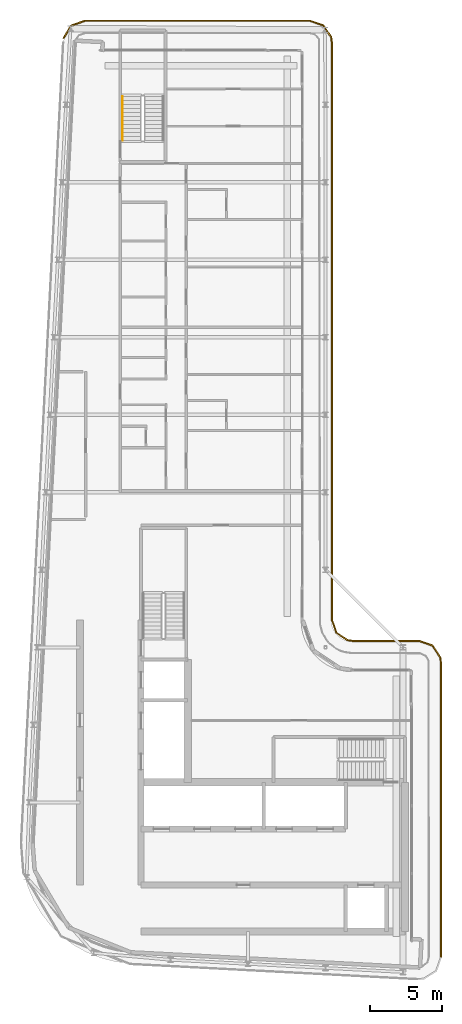
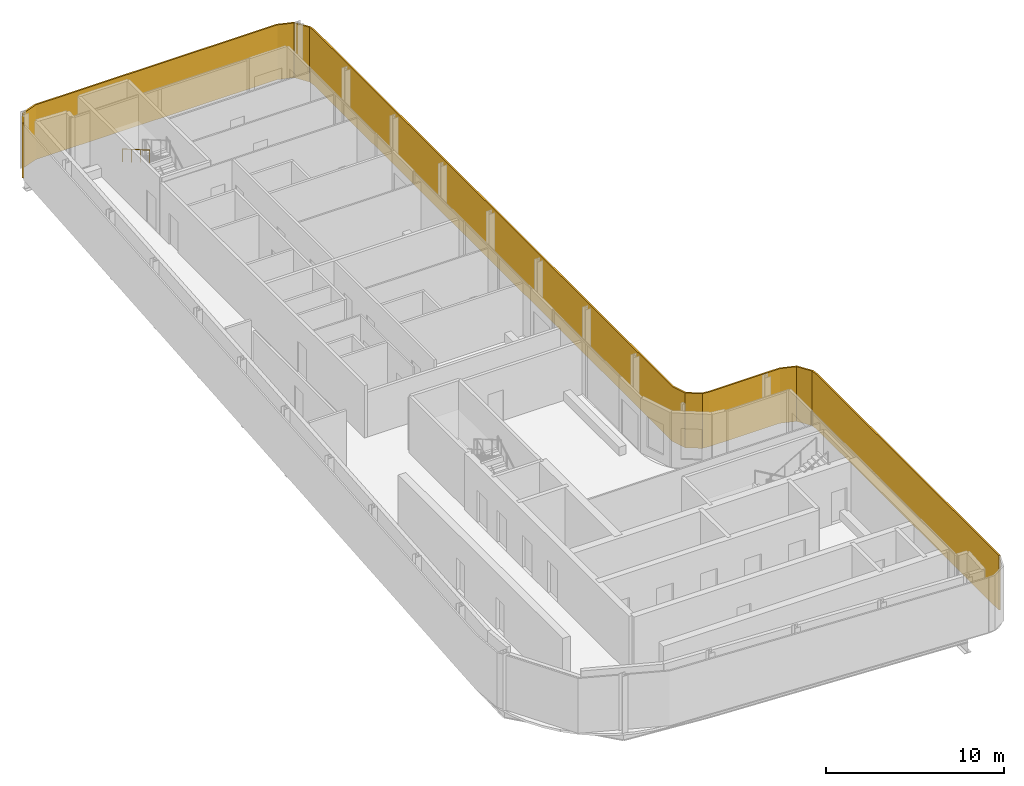
# One storey, part 15 of 17: 1 railing, 1 shading device.
"""IFC4 building model written with IfcOpenShell, lengths in metres."""

from ifc_helpers import new_model, si_unit, direction, frame, origin, origin_2d, place, context, subcontext, project, spatial, polyline, circle, outline, extrude, material, layer, layer_set, type_object, element, save


model = new_model("IFC4")

# Units and contexts
model_context = context("Model", 3, precision=1e-05, world=origin(), true_north=direction((0.0, 1.0)))
body_context = subcontext(model_context, "Body", "Model", "MODEL_VIEW")
ifc_project = project(units=[si_unit("LENGTHUNIT", "METRE"), si_unit("AREAUNIT", "SQUARE_METRE"), si_unit("VOLUMEUNIT", "CUBIC_METRE"), si_unit("PLANEANGLEUNIT", "RADIAN"), si_unit("MASSUNIT", "GRAM", prefix="KILO")], contexts=[model_context])

# Site, building, storey
site_placement = place(None, origin())
site = spatial("IfcSite", under=ifc_project, at=site_placement, CompositionType="ELEMENT")
building_placement = place(site_placement, origin())
building = spatial("IfcBuilding", under=site, at=building_placement, Name="Kheshtan School and Residences Tower", CompositionType="ELEMENT")
storey_placement = place(building_placement, frame((0.0, 0.0, 346.10009765625)))
storey = spatial("IfcBuildingStorey", under=building, at=storey_placement, Name="L81", CompositionType="ELEMENT", Elevation=346.10009765625)

# Shading device
ifc_material_1 = material(Name="Terracotta lattice, extruded ceramic", Category="masonry")
ifc_layer = layer(ifc_material_1, 0.10009765625)
ifc_layer_set = layer_set([ifc_layer], Name="Loggia screen, terracotta lattice")
shading_device_type = type_object("IfcShadingDeviceType", Name="Loggia screen, terracotta lattice", PredefinedType="USERDEFINED", material=ifc_layer_set)
shading_device_placement = place(storey_placement, origin())
element("IfcShadingDevice", 1, at=shading_device_placement, inside=storey, type_object=shading_device_type, Name="Screen L81 1", ObjectType="SCREEN", PredefinedType="USERDEFINED", context=body_context, shape_type="SweptSolid", body=[
    extrude(outline(polyline([(29.382080078125, 87.98388671875), (29.89990234375, 88.85693359375), (30.85498046875, 89.199951171875), (46.5, 89.199951171875), (47.4130859375, 88.889892578125), (47.948974609375, 88.087890625), (48.0, 87.699951171875), (48.0, 47.5), (48.31005859375, 46.5869140625), (49.112060546875, 46.051025390625), (49.5, 46.0), (54.10009765625, 46.0), (55.012939453125, 45.68994140625), (55.549072265625, 44.887939453125), (55.60009765625, 44.5), (55.60009765625, 24.02294921875), (55.699951171875, 24.02294921875), (55.699951171875, 44.507080078125), (55.64501953125, 44.924072265625), (55.076904296875, 45.77392578125), (54.116943359375, 46.10009765625), (49.507080078125, 46.10009765625), (49.14794921875, 46.14697265625), (48.39404296875, 46.65087890625), (48.10009765625, 47.51708984375), (48.10009765625, 87.70703125), (48.044921875, 88.1240234375), (47.47705078125, 88.97412109375), (46.51708984375, 89.300048828125), (30.837890625, 89.300048828125), (29.83203125, 88.93896484375), (29.2958984375, 88.034912109375), (29.382080078125, 87.98388671875)])), origin(), (0.0, 0.0, 1.0), 3.75),
])

# Railing
ifc_material_2 = material(Name="Stainless steel handrail", Category="steel")
railing_type = type_object("IfcRailingType", Name="Stair handrail 900", PredefinedType="HANDRAIL", material=ifc_material_2)
railing_placement = place(storey_placement, frame((33.449951171875, 83.97998046875, 2.1123046875)))
element("IfcRailing", 2, at=railing_placement, inside=storey, type_object=railing_type, Name="L81 ST3 stair handrail 2", PredefinedType="HANDRAIL", context=body_context, shape_type="SweptSolid", body=[
    extrude(circle(Radius=0.02392578125, at=origin_2d()), frame((0.0, 0.0, 0.8759765625), z_axis=(0.0, -0.864890721111, 0.501960198159), x_axis=(1.0, 0.0, 0.0)), (0.0, 0.0, 1.0), 3.561279296875),
    extrude(circle(Radius=0.02099609375, at=origin_2d()), origin(), (0.0, 0.0, 1.0), 0.851806640625),
    extrude(circle(Radius=0.02099609375, at=origin_2d()), frame((0.0, -1.026611328125, 0.595947265625)), (0.0, 0.0, 1.0), 0.851806640625),
    extrude(circle(Radius=0.02099609375, at=origin_2d()), frame((0.0, -2.053466796875, 1.191650390625)), (0.0, 0.0, 1.0), 0.851806640625),
    extrude(circle(Radius=0.02099609375, at=origin_2d()), frame((0.0, -3.080078125, 1.78759765625)), (0.0, 0.0, 1.0), 0.851806640625),
])

save(model, "model.ifc")
